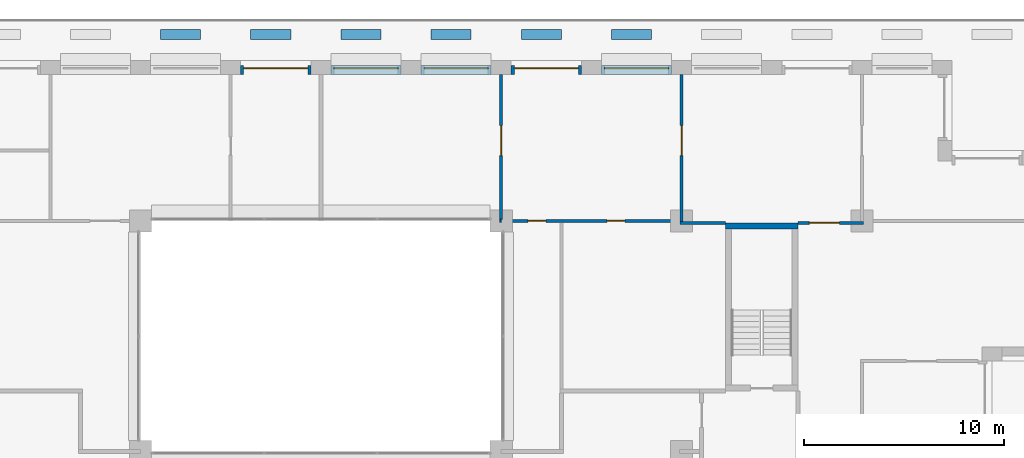
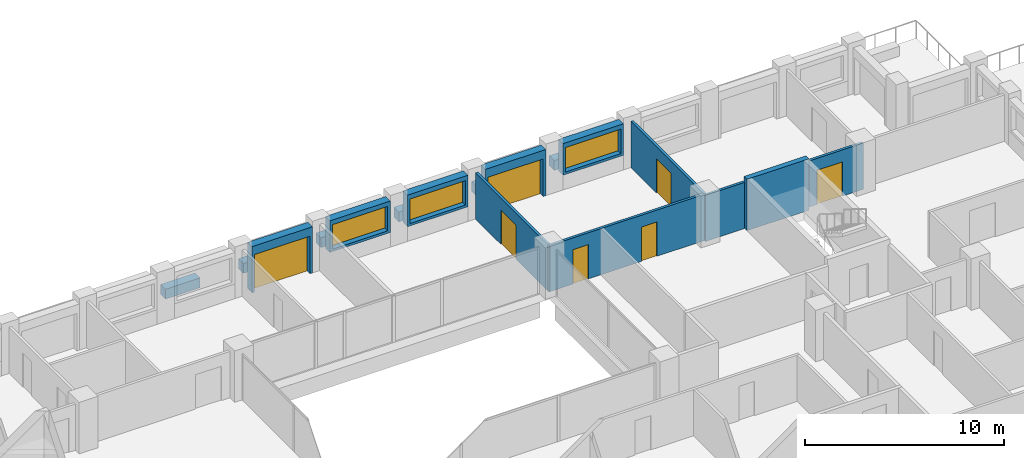
# One storey, part 13 of 17: 18 walls, 7 doors, 3 windows, 10 openings.
"""IFC4 building model written with IfcOpenShell, lengths in metres."""

from ifc_helpers import new_model, si_unit, direction, frame, frame_2d, origin, place, context, subcontext, project, spatial, rectangle, extrude, material, layer, layer_set, type_object, element, fill, save


model = new_model("IFC4")

# Units and contexts
model_context = context("Model", 3, precision=1e-05, world=origin(), true_north=direction((0.0, 1.0)))
body_context = subcontext(model_context, "Body", "Model", "MODEL_VIEW")
ifc_project = project(units=[si_unit("LENGTHUNIT", "METRE"), si_unit("AREAUNIT", "SQUARE_METRE"), si_unit("VOLUMEUNIT", "CUBIC_METRE"), si_unit("PLANEANGLEUNIT", "RADIAN"), si_unit("MASSUNIT", "GRAM", prefix="KILO")], contexts=[model_context])

# Site, building, storey
site_placement = place(None, origin())
site = spatial("IfcSite", under=ifc_project, at=site_placement, CompositionType="ELEMENT")
building_placement = place(site_placement, origin())
building = spatial("IfcBuilding", under=site, at=building_placement, Name="Brigalow Station Residences", CompositionType="ELEMENT")
storey_placement = place(building_placement, frame((0.0, 0.0, 141.300048828125)))
storey = spatial("IfcBuildingStorey", under=building, at=storey_placement, Name="L40", CompositionType="ELEMENT", Elevation=141.300048828125)

# Wall, opening, window
ifc_material_1 = material(Name="Clay brick masonry", Category="masonry")
ifc_layer_1 = layer(ifc_material_1, 0.449951171875)
ifc_layer_set_1 = layer_set([ifc_layer_1], Name="BRICK INFILL WALL 450")
wall_type_1 = type_object("IfcWallType", Name="BRICK INFILL WALL 450", PredefinedType="SOLIDWALL", material=ifc_layer_set_1)
wall_1_placement = place(storey_placement, frame((53.5, 43.02490234375, 0.89990234375), z_axis=(0.0, 0.0, 1.0), x_axis=(-1.0, 0.0, 0.0)))
wall_1 = element("IfcWall", 1, at=wall_1_placement, inside=storey, type_object=wall_type_1, Name="L40/ewall/W-L40-25", PredefinedType="SOLIDWALL", context=body_context, shape_type="SweptSolid", body=[
    extrude(rectangle(XDim=3.5, YDim=0.449951171875, at=frame_2d((1.75, 0.0))), origin(), (0.0, 0.0, 1.0), 1.929931640625),
])
opening_1_placement = place(wall_1_placement, frame((0.14990234375, 0.0, 0.14990234375)))
opening_1 = element("IfcOpeningElement", 2, at=opening_1_placement, cuts=wall_1, Name="Opening WT-9", PredefinedType="OPENING", context=body_context, shape_type="SweptSolid", body=[
    extrude(rectangle(XDim=3.199951171875, YDim=1.5, at=frame_2d((1.60009765625, 0.75))), frame((0.0, 0.23486328125, 0.0), z_axis=(0.0, -1.0, 0.0), x_axis=(1.0, 0.0, 0.0)), (0.0, 0.0, 1.0), 0.469970703125),
])
ifc_material_2 = material(Name="Anodised aluminium frame with double glazing", Category="aluminium")
window_type = type_object("IfcWindowType", Name="WINDOW 3200x1500", PartitioningType="SINGLE_PANEL", PredefinedType="WINDOW", material=ifc_material_2)
window_1_placement = place(opening_1_placement, origin())
window_1 = element("IfcWindow", 3, at=window_1_placement, inside=storey, type_object=window_type, Name="L40/window/W-L40-25", OverallHeight=1.5, OverallWidth=3.199951171875, PartitioningType="SINGLE_PANEL", PredefinedType="WINDOW", context=body_context, shape_type="SweptSolid", body=[
    extrude(rectangle(XDim=3.199951171875, YDim=1.5, at=frame_2d((1.60009765625, 0.75))), frame((0.0, -0.06494140625, 0.0), z_axis=(0.0, -1.0, 0.0), x_axis=(1.0, 0.0, 0.0)), (0.0, 0.0, 1.0), 0.06005859375),
])
fill(opening_1, window_1)

# Wall, opening, door
wall_2_placement = place(storey_placement, frame((49.0, 43.02490234375, 0.0), z_axis=(0.0, 0.0, 1.0), x_axis=(-1.0, 0.0, 0.0)))
wall_2 = element("IfcWall", 4, at=wall_2_placement, inside=storey, type_object=wall_type_1, Name="L40/ewall/W-L40-26", PredefinedType="SOLIDWALL", context=body_context, shape_type="SweptSolid", body=[
    extrude(rectangle(XDim=3.5, YDim=0.449951171875, at=frame_2d((1.75, 0.0))), origin(), (0.0, 0.0, 1.0), 2.829833984375),
])
opening_2_placement = place(wall_2_placement, frame((0.14990234375, 0.0, 0.0)))
opening_2 = element("IfcOpeningElement", 5, at=opening_2_placement, cuts=wall_2, Name="Opening D-B3200", PredefinedType="OPENING", context=body_context, shape_type="SweptSolid", body=[
    extrude(rectangle(XDim=3.199951171875, YDim=2.300048828125, at=frame_2d((1.60009765625, 1.14990234375))), frame((0.0, 0.23486328125, 0.0), z_axis=(0.0, -1.0, 0.0), x_axis=(1.0, 0.0, 0.0)), (0.0, 0.0, 1.0), 0.469970703125),
])
ifc_material_3 = material(Name="Anodised aluminium frame with double glazing", Category="aluminium")
door_type_1 = type_object("IfcDoorType", Name="BALCONY SLIDING DOOR 3200x2300", OperationType="SLIDING_TO_LEFT", PredefinedType="DOOR", material=ifc_material_3)
door_1_placement = place(opening_2_placement, origin())
door_1 = element("IfcDoor", 6, at=door_1_placement, inside=storey, type_object=door_type_1, Name="L40/balcony-door/W-L40-26", OperationType="SLIDING_TO_LEFT", OverallHeight=2.300048828125, OverallWidth=3.199951171875, PredefinedType="DOOR", context=body_context, shape_type="SweptSolid", body=[
    extrude(rectangle(XDim=3.199951171875, YDim=2.300048828125, at=frame_2d((1.60009765625, 1.14990234375))), frame((0.0, -0.06982421875, 0.0), z_axis=(0.0, -1.0, 0.0), x_axis=(1.0, 0.0, 0.0)), (0.0, 0.0, 1.0), 0.050048828125),
])
fill(opening_2, door_1)

# Wall, opening, window
wall_3_placement = place(storey_placement, frame((44.5, 43.02490234375, 0.89990234375), z_axis=(0.0, 0.0, 1.0), x_axis=(-1.0, 0.0, 0.0)))
wall_3 = element("IfcWall", 7, at=wall_3_placement, inside=storey, type_object=wall_type_1, Name="L40/ewall/W-L40-27", PredefinedType="SOLIDWALL", context=body_context, shape_type="SweptSolid", body=[
    extrude(rectangle(XDim=3.5, YDim=0.449951171875, at=frame_2d((1.75, 0.0))), origin(), (0.0, 0.0, 1.0), 1.929931640625),
])
opening_3_placement = place(wall_3_placement, frame((0.14990234375, 0.0, 0.14990234375)))
opening_3 = element("IfcOpeningElement", 8, at=opening_3_placement, cuts=wall_3, Name="Opening WT-9", PredefinedType="OPENING", context=body_context, shape_type="SweptSolid", body=[
    extrude(rectangle(XDim=3.199951171875, YDim=1.5, at=frame_2d((1.60009765625, 0.75))), frame((0.0, 0.23486328125, 0.0), z_axis=(0.0, -1.0, 0.0), x_axis=(1.0, 0.0, 0.0)), (0.0, 0.0, 1.0), 0.469970703125),
])
window_2_placement = place(opening_3_placement, origin())
window_2 = element("IfcWindow", 9, at=window_2_placement, inside=storey, type_object=window_type, Name="L40/window/W-L40-27", OverallHeight=1.5, OverallWidth=3.199951171875, PartitioningType="SINGLE_PANEL", PredefinedType="WINDOW", context=body_context, shape_type="SweptSolid", body=[
    extrude(rectangle(XDim=3.199951171875, YDim=1.5, at=frame_2d((1.60009765625, 0.75))), frame((0.0, -0.06494140625, 0.0), z_axis=(0.0, -1.0, 0.0), x_axis=(1.0, 0.0, 0.0)), (0.0, 0.0, 1.0), 0.06005859375),
])
fill(opening_3, window_2)

wall_4_placement = place(storey_placement, frame((40.0, 43.02490234375, 0.89990234375), z_axis=(0.0, 0.0, 1.0), x_axis=(-1.0, 0.0, 0.0)))
wall_4 = element("IfcWall", 10, at=wall_4_placement, inside=storey, type_object=wall_type_1, Name="L40/ewall/W-L40-28", PredefinedType="SOLIDWALL", context=body_context, shape_type="SweptSolid", body=[
    extrude(rectangle(XDim=3.5, YDim=0.449951171875, at=frame_2d((1.75, 0.0))), origin(), (0.0, 0.0, 1.0), 1.929931640625),
])
opening_4_placement = place(wall_4_placement, frame((0.14990234375, 0.0, 0.14990234375)))
opening_4 = element("IfcOpeningElement", 11, at=opening_4_placement, cuts=wall_4, Name="Opening WT-9", PredefinedType="OPENING", context=body_context, shape_type="SweptSolid", body=[
    extrude(rectangle(XDim=3.199951171875, YDim=1.5, at=frame_2d((1.60009765625, 0.75))), frame((0.0, 0.23486328125, 0.0), z_axis=(0.0, -1.0, 0.0), x_axis=(1.0, 0.0, 0.0)), (0.0, 0.0, 1.0), 0.469970703125),
])
window_3_placement = place(opening_4_placement, origin())
window_3 = element("IfcWindow", 12, at=window_3_placement, inside=storey, type_object=window_type, Name="L40/window/W-L40-28", OverallHeight=1.5, OverallWidth=3.199951171875, PartitioningType="SINGLE_PANEL", PredefinedType="WINDOW", context=body_context, shape_type="SweptSolid", body=[
    extrude(rectangle(XDim=3.199951171875, YDim=1.5, at=frame_2d((1.60009765625, 0.75))), frame((0.0, -0.06494140625, 0.0), z_axis=(0.0, -1.0, 0.0), x_axis=(1.0, 0.0, 0.0)), (0.0, 0.0, 1.0), 0.06005859375),
])
fill(opening_4, window_3)

# Wall, opening, door
wall_5_placement = place(storey_placement, frame((35.5, 43.02490234375, 0.0), z_axis=(0.0, 0.0, 1.0), x_axis=(-1.0, 0.0, 0.0)))
wall_5 = element("IfcWall", 13, at=wall_5_placement, inside=storey, type_object=wall_type_1, Name="L40/ewall/W-L40-29", PredefinedType="SOLIDWALL", context=body_context, shape_type="SweptSolid", body=[
    extrude(rectangle(XDim=3.5, YDim=0.449951171875, at=frame_2d((1.75, 0.0))), origin(), (0.0, 0.0, 1.0), 2.829833984375),
])
opening_5_placement = place(wall_5_placement, frame((0.14990234375, 0.0, 0.0)))
opening_5 = element("IfcOpeningElement", 14, at=opening_5_placement, cuts=wall_5, Name="Opening D-B3200", PredefinedType="OPENING", context=body_context, shape_type="SweptSolid", body=[
    extrude(rectangle(XDim=3.199951171875, YDim=2.300048828125, at=frame_2d((1.60009765625, 1.14990234375))), frame((0.0, 0.23486328125, 0.0), z_axis=(0.0, -1.0, 0.0), x_axis=(1.0, 0.0, 0.0)), (0.0, 0.0, 1.0), 0.469970703125),
])
door_2_placement = place(opening_5_placement, origin())
door_2 = element("IfcDoor", 15, at=door_2_placement, inside=storey, type_object=door_type_1, Name="L40/balcony-door/W-L40-29", OperationType="SLIDING_TO_LEFT", OverallHeight=2.300048828125, OverallWidth=3.199951171875, PredefinedType="DOOR", context=body_context, shape_type="SweptSolid", body=[
    extrude(rectangle(XDim=3.199951171875, YDim=2.300048828125, at=frame_2d((1.60009765625, 1.14990234375))), frame((0.0, -0.06982421875, 0.0), z_axis=(0.0, -1.0, 0.0), x_axis=(1.0, 0.0, 0.0)), (0.0, 0.0, 1.0), 0.050048828125),
])
fill(opening_5, door_2)

# Walls
ifc_material_4 = material(Name="Concrete C65", Category="concrete")
ifc_layer_2 = layer(ifc_material_4, 0.300048828125)
ifc_layer_set_2 = layer_set([ifc_layer_2], Name="CORE SHEAR WALL 300 C65")
wall_type_2 = type_object("IfcWallType", Name="CORE SHEAR WALL 300 C65", PredefinedType="SHEAR", material=ifc_layer_set_2)
wall_6_placement = place(storey_placement, frame((56.199951171875, 35.25, 0.0), z_axis=(0.0, 0.0, 1.0), x_axis=(1.0, 0.0, 0.0)))
element("IfcWall", 16, at=wall_6_placement, inside=storey, type_object=wall_type_2, Name="CORE WALL ST-S3-N L40", PredefinedType="SHEAR", context=body_context, shape_type="SweptSolid", body=[
    extrude(rectangle(XDim=3.60009765625, YDim=0.300048828125, at=frame_2d((1.800048828125, 0.0))), origin(), (0.0, 0.0, 1.0), 3.14990234375),
])
ifc_material_5 = material(Name="Plasterboard on steel stud partition", Category="steel")
ifc_layer_3 = layer(ifc_material_5, 0.14990234375)
ifc_layer_set_3 = layer_set([ifc_layer_3], Name="FLAT PARTITION 150")
wall_type_3 = type_object("IfcWallType", Name="FLAT PARTITION 150", PredefinedType="PARTITIONING", material=ifc_layer_set_3)
wall_7_placement = place(storey_placement, frame((53.925048828125, 35.39990234375, 0.0), z_axis=(0.0, 0.0, 1.0), x_axis=(1.0, 0.0, 0.0)))
element("IfcWall", 17, at=wall_7_placement, inside=storey, type_object=wall_type_3, Name="PW-3A19", PredefinedType="PARTITIONING", context=body_context, shape_type="SweptSolid", body=[
    extrude(rectangle(XDim=2.27490234375, YDim=0.14990234375, at=frame_2d((1.137451171875, 0.0))), origin(), (0.0, 0.0, 1.0), 2.829833984375),
])

# Wall, opening, door
wall_8_placement = place(storey_placement, frame((59.800048828125, 35.39990234375, 0.0), z_axis=(0.0, 0.0, 1.0), x_axis=(1.0, 0.0, 0.0)))
wall_8 = element("IfcWall", 18, at=wall_8_placement, inside=storey, type_object=wall_type_3, Name="PW-3A20", PredefinedType="PARTITIONING", context=body_context, shape_type="SweptSolid", body=[
    extrude(rectangle(XDim=3.27490234375, YDim=0.14990234375, at=frame_2d((1.637451171875, 0.0))), origin(), (0.0, 0.0, 1.0), 2.829833984375),
])
opening_6_placement = place(wall_8_placement, frame((0.574951171875, 0.0, 0.0)))
opening_6 = element("IfcOpeningElement", 19, at=opening_6_placement, cuts=wall_8, Name="Opening D-3A31", PredefinedType="OPENING", context=body_context, shape_type="SweptSolid", body=[
    extrude(rectangle(XDim=1.5, YDim=2.10009765625, at=frame_2d((0.75, 1.050048828125))), frame((0.0, 0.0849609375, 0.0), z_axis=(0.0, -1.0, 0.0), x_axis=(1.0, 0.0, 0.0)), (0.0, 0.0, 1.0), 0.169921875),
])
ifc_material_6 = material(Name="Solid-core timber door leaf", Category="wood")
door_type_2 = type_object("IfcDoorType", Name="INTERNAL DOUBLE DOOR 1500 x 2100", OperationType="DOUBLE_DOOR_SINGLE_SWING", PredefinedType="DOOR", material=ifc_material_6)
door_3_placement = place(opening_6_placement, origin())
door_3 = element("IfcDoor", 20, at=door_3_placement, inside=storey, type_object=door_type_2, Name="D-3A31", OperationType="DOUBLE_DOOR_SINGLE_SWING", OverallHeight=2.10009765625, OverallWidth=1.5, PredefinedType="DOOR", context=body_context, shape_type="SweptSolid", body=[
    extrude(rectangle(XDim=1.5, YDim=2.10009765625, at=frame_2d((0.75, 1.050048828125))), frame((0.0, 0.02490234375, 0.0), z_axis=(0.0, -1.0, 0.0), x_axis=(1.0, 0.0, 0.0)), (0.0, 0.0, 1.0), 0.050048828125),
])
fill(opening_6, door_3)

# Wall
wall_9_placement = place(storey_placement, frame((44.925048828125, 35.5, 0.0), z_axis=(0.0, 0.0, 1.0), x_axis=(1.0, 0.0, 0.0)))
element("IfcWall", 21, at=wall_9_placement, inside=storey, type_object=wall_type_3, Name="PW-3A23", PredefinedType="PARTITIONING", context=body_context, shape_type="SweptSolid", body=[
    extrude(rectangle(XDim=0.074951171875, YDim=0.14990234375, at=frame_2d((0.03759765625, 0.0))), origin(), (0.0, 0.0, 1.0), 2.829833984375),
])

# Wall, openings, doors
wall_10_placement = place(storey_placement, frame((45.0, 35.5, 0.0), z_axis=(0.0, 0.0, 1.0), x_axis=(1.0, 0.0, 0.0)))
wall_10 = element("IfcWall", 22, at=wall_10_placement, inside=storey, type_object=wall_type_3, Name="PW-3A24", PredefinedType="PARTITIONING", context=body_context, shape_type="SweptSolid", body=[
    extrude(rectangle(XDim=8.925048828125, YDim=0.14990234375, at=frame_2d((4.46240234375, 0.0))), origin(), (0.0, 0.0, 1.0), 2.829833984375),
])
opening_7_placement = place(wall_10_placement, frame((5.27490234375, 0.0, 0.0)))
opening_7 = element("IfcOpeningElement", 23, at=opening_7_placement, cuts=wall_10, Name="Opening D-3A34", PredefinedType="OPENING", context=body_context, shape_type="SweptSolid", body=[
    extrude(rectangle(XDim=0.89990234375, YDim=2.10009765625, at=frame_2d((0.449951171875, 1.050048828125))), frame((0.0, 0.0849609375, 0.0), z_axis=(0.0, -1.0, 0.0), x_axis=(1.0, 0.0, 0.0)), (0.0, 0.0, 1.0), 0.169921875),
])
opening_8_placement = place(wall_10_placement, frame((1.324951171875, 0.0, 0.0)))
opening_8 = element("IfcOpeningElement", 24, at=opening_8_placement, cuts=wall_10, Name="Opening D-3A35", PredefinedType="OPENING", context=body_context, shape_type="SweptSolid", body=[
    extrude(rectangle(XDim=0.89990234375, YDim=2.10009765625, at=frame_2d((0.449951171875, 1.050048828125))), frame((0.0, 0.0849609375, 0.0), z_axis=(0.0, -1.0, 0.0), x_axis=(1.0, 0.0, 0.0)), (0.0, 0.0, 1.0), 0.169921875),
])
ifc_material_7 = material(Name="Solid-core timber door leaf", Category="wood")
door_type_3 = type_object("IfcDoorType", Name="INTERNAL DOOR 900 x 2100", OperationType="SINGLE_SWING_LEFT", PredefinedType="DOOR", material=ifc_material_7)
door_4_placement = place(opening_7_placement, origin())
door_4 = element("IfcDoor", 25, at=door_4_placement, inside=storey, type_object=door_type_3, Name="D-3A34", OperationType="SINGLE_SWING_RIGHT", OverallHeight=2.10009765625, OverallWidth=0.89990234375, PredefinedType="DOOR", context=body_context, shape_type="SweptSolid", body=[
    extrude(rectangle(XDim=0.89990234375, YDim=2.10009765625, at=frame_2d((0.449951171875, 1.050048828125))), frame((0.0, 0.02490234375, 0.0), z_axis=(0.0, -1.0, 0.0), x_axis=(1.0, 0.0, 0.0)), (0.0, 0.0, 1.0), 0.050048828125),
])
fill(opening_7, door_4)
door_5_placement = place(opening_8_placement, frame((0.89990234375, 0.0, 0.0), z_axis=(0.0, 0.0, 1.0), x_axis=(-1.0, 0.0, 0.0)))
door_5 = element("IfcDoor", 26, at=door_5_placement, inside=storey, type_object=door_type_3, Name="D-3A35", OperationType="SINGLE_SWING_LEFT", OverallHeight=2.10009765625, OverallWidth=0.89990234375, PredefinedType="DOOR", context=body_context, shape_type="SweptSolid", body=[
    extrude(rectangle(XDim=0.89990234375, YDim=2.10009765625, at=frame_2d((0.449951171875, 1.050048828125))), frame((0.0, 0.02490234375, 0.0), z_axis=(0.0, -1.0, 0.0), x_axis=(1.0, 0.0, 0.0)), (0.0, 0.0, 1.0), 0.050048828125),
])
fill(opening_8, door_5)

# Wall, opening, door
wall_11_placement = place(storey_placement, frame((54.0, 35.47509765625, 0.0), z_axis=(0.0, 0.0, 1.0), x_axis=(0.0, 1.0, 0.0)))
wall_11 = element("IfcWall", 27, at=wall_11_placement, inside=storey, type_object=wall_type_3, Name="PW-3A31", PredefinedType="PARTITIONING", context=body_context, shape_type="SweptSolid", body=[
    extrude(rectangle(XDim=7.324951171875, YDim=0.14990234375, at=frame_2d((3.66259765625, 0.0))), origin(), (0.0, 0.0, 1.0), 2.829833984375),
])
opening_9_placement = place(wall_11_placement, frame((3.27490234375, 0.0, 0.0)))
opening_9 = element("IfcOpeningElement", 28, at=opening_9_placement, cuts=wall_11, Name="Opening D-3A32", PredefinedType="OPENING", context=body_context, shape_type="SweptSolid", body=[
    extrude(rectangle(XDim=1.5, YDim=2.10009765625, at=frame_2d((0.75, 1.050048828125))), frame((0.0, 0.0849609375, 0.0), z_axis=(0.0, -1.0, 0.0), x_axis=(1.0, 0.0, 0.0)), (0.0, 0.0, 1.0), 0.169921875),
])
door_6_placement = place(opening_9_placement, origin())
door_6 = element("IfcDoor", 29, at=door_6_placement, inside=storey, type_object=door_type_2, Name="D-3A32", OperationType="DOUBLE_DOOR_SINGLE_SWING", OverallHeight=2.10009765625, OverallWidth=1.5, PredefinedType="DOOR", context=body_context, shape_type="SweptSolid", body=[
    extrude(rectangle(XDim=1.5, YDim=2.10009765625, at=frame_2d((0.75, 1.050048828125))), frame((0.0, 0.02490234375, 0.0), z_axis=(0.0, -1.0, 0.0), x_axis=(1.0, 0.0, 0.0)), (0.0, 0.0, 1.0), 0.050048828125),
])
fill(opening_9, door_6)

wall_12_placement = place(storey_placement, frame((45.0, 35.574951171875, 0.0), z_axis=(0.0, 0.0, 1.0), x_axis=(0.0, 1.0, 0.0)))
wall_12 = element("IfcWall", 30, at=wall_12_placement, inside=storey, type_object=wall_type_3, Name="PW-3A52", PredefinedType="PARTITIONING", context=body_context, shape_type="SweptSolid", body=[
    extrude(rectangle(XDim=7.22509765625, YDim=0.14990234375, at=frame_2d((3.612548828125, 0.0))), origin(), (0.0, 0.0, 1.0), 2.829833984375),
])
opening_10_placement = place(wall_12_placement, frame((3.175048828125, 0.0, 0.0)))
opening_10 = element("IfcOpeningElement", 31, at=opening_10_placement, cuts=wall_12, Name="Opening D-3A33", PredefinedType="OPENING", context=body_context, shape_type="SweptSolid", body=[
    extrude(rectangle(XDim=1.5, YDim=2.10009765625, at=frame_2d((0.75, 1.050048828125))), frame((0.0, 0.0849609375, 0.0), z_axis=(0.0, -1.0, 0.0), x_axis=(1.0, 0.0, 0.0)), (0.0, 0.0, 1.0), 0.169921875),
])
door_7_placement = place(opening_10_placement, origin())
door_7 = element("IfcDoor", 32, at=door_7_placement, inside=storey, type_object=door_type_2, Name="D-3A33", OperationType="DOUBLE_DOOR_SINGLE_SWING", OverallHeight=2.10009765625, OverallWidth=1.5, PredefinedType="DOOR", context=body_context, shape_type="SweptSolid", body=[
    extrude(rectangle(XDim=1.5, YDim=2.10009765625, at=frame_2d((0.75, 1.050048828125))), frame((0.0, 0.02490234375, 0.0), z_axis=(0.0, -1.0, 0.0), x_axis=(1.0, 0.0, 0.0)), (0.0, 0.0, 1.0), 0.050048828125),
])
fill(opening_10, door_7)

# Walls
ifc_material_8 = material(Name="Concrete C50 precast", Category="concrete")
ifc_layer_4 = layer(ifc_material_8, 0.5)
ifc_layer_set_4 = layer_set([ifc_layer_4], Name="PLANTER 500x600")
wall_type_4 = type_object("IfcWallType", Name="PLANTER 500x600", PredefinedType="USERDEFINED", material=ifc_layer_set_4)
for number, where, z_axis, x_axis, name in (
    (33, (52.5, 44.800048828125, -0.0400390625), (0.0, 0.0, 1.0), (-1.0, 0.0, 0.0), "L40/planter/2-11"),
    (34, (48.0, 44.800048828125, -0.0400390625), (0.0, 0.0, 1.0), (-1.0, 0.0, 0.0), "L40/planter/2-12"),
    (35, (43.5, 44.800048828125, -0.0400390625), (0.0, 0.0, 1.0), (-1.0, 0.0, 0.0), "L40/planter/2-13"),
    (36, (39.0, 44.800048828125, -0.0400390625), (0.0, 0.0, 1.0), (-1.0, 0.0, 0.0), "L40/planter/2-14"),
    (37, (34.5, 44.800048828125, -0.0400390625), (0.0, 0.0, 1.0), (-1.0, 0.0, 0.0), "L40/planter/2-15"),
    (38, (30.0, 44.800048828125, -0.0400390625), (0.0, 0.0, 1.0), (-1.0, 0.0, 0.0), "L40/planter/2-16"),
):
    element("IfcWall", number, at=place(storey_placement, frame(where, z_axis=z_axis, x_axis=x_axis)), inside=storey, type_object=wall_type_4, Name=name, ObjectType="PLANTER", PredefinedType="USERDEFINED", context=body_context, shape_type="SweptSolid", body=[
        extrude(rectangle(XDim=2.0, YDim=0.5, at=frame_2d((1.0, 0.0))), origin(), (0.0, 0.0, 1.0), 0.60009765625),
    ])

save(model, "model.ifc")
